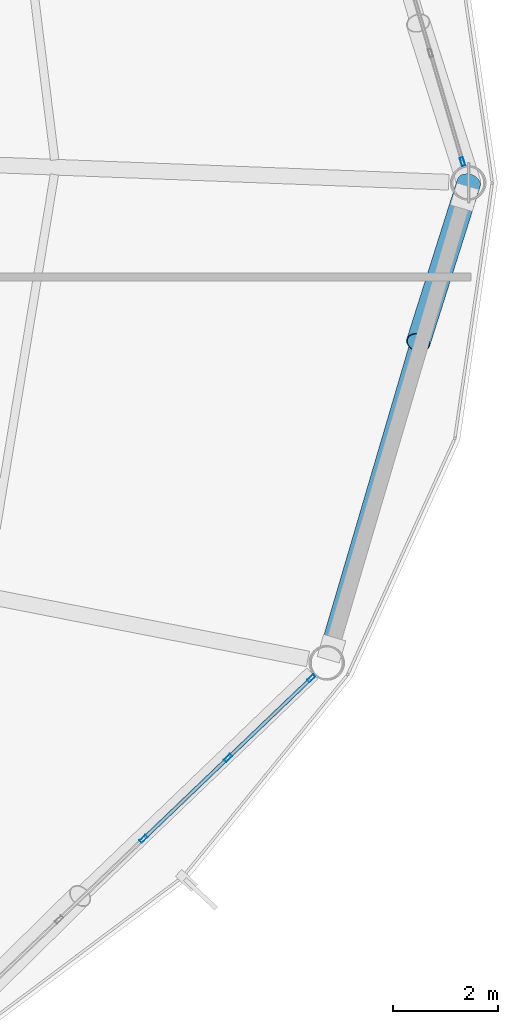
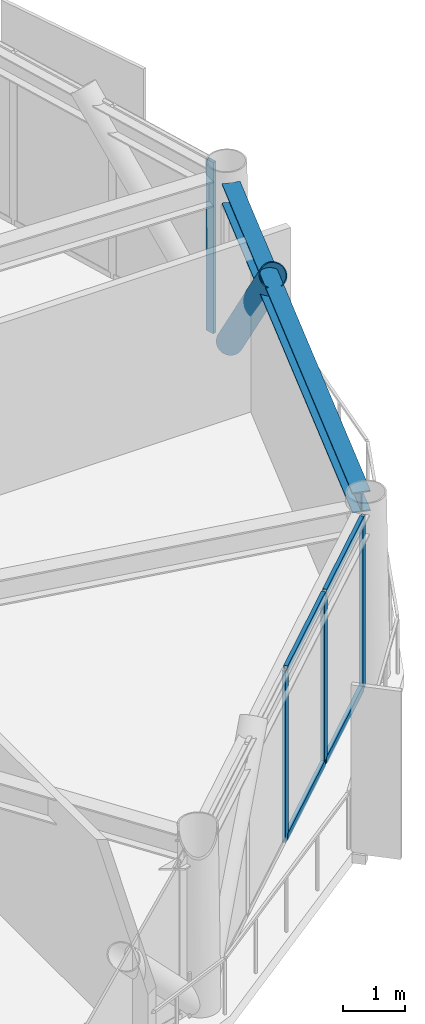
# One storey, part 15 of 28: 9 members, 1 beam, 2 elements without a shape of their own.
"""IFC4 building model written with IfcOpenShell, lengths in metres."""

from ifc_helpers import new_model, si_unit, direction, frame, origin, origin_2d, place, context, subcontext, project, spatial, hollow_rectangle, hollow_circle, i_section, extrude, material, layer, layer_set, material_profile, profile_set, type_object, element, aggregate, save


model = new_model("IFC4")

# Units and contexts
model_context = context("Model", 3, precision=1e-05, world=origin(), true_north=direction((0.0, 1.0)))
body_context = subcontext(model_context, "Body", "Model", "MODEL_VIEW")
ifc_project = project(units=[si_unit("LENGTHUNIT", "METRE"), si_unit("AREAUNIT", "SQUARE_METRE"), si_unit("VOLUMEUNIT", "CUBIC_METRE"), si_unit("PLANEANGLEUNIT", "RADIAN"), si_unit("MASSUNIT", "GRAM", prefix="KILO")], contexts=[model_context])

# Site, building, storey
site_placement = place(None, origin())
site = spatial("IfcSite", under=ifc_project, at=site_placement, CompositionType="ELEMENT")
building_placement = place(site_placement, origin())
building = spatial("IfcBuilding", under=site, at=building_placement, Name="Varnakorn Sky Granary", CompositionType="ELEMENT")
storey_placement = place(building_placement, frame((0.0, 0.0, 204.0)))
storey = spatial("IfcBuildingStorey", under=building, at=storey_placement, Name="L51", CompositionType="ELEMENT", Elevation=204.0)

# Beam
ifc_material_1 = material(Name="Steel S355JR", Category="steel")
ifc_material_profile_1 = material_profile(ifc_material_1, i_section(OverallWidth=0.300048828125, OverallDepth=0.39990234375, WebThickness=0.013427734375, FlangeThickness=0.02392578125, at=origin_2d()), Name="HE 400 B")
ifc_profile_set_1 = profile_set([ifc_material_profile_1], Name="Steel S355JR")
beam_type = type_object("IfcBeamType", Name="BM-SPD-Z4", PredefinedType="SPANDREL", material=ifc_profile_set_1)
beam_placement = place(storey_placement, frame((21.484375, -8.852783203125, 3.159912109375), z_axis=(0.28237096291, 0.959305289939, 0.0), x_axis=(-0.959305289939, 0.28237096291, 0.0)))
element("IfcBeam", 1, at=beam_placement, inside=storey, type_object=beam_type, Name="Perimeter Spandrel Ring Beam RB12 L51", PredefinedType="SPANDREL", context=body_context, shape_type="SweptSolid", body=[
    extrude(i_section(OverallWidth=0.300048828125, OverallDepth=0.39990234375, WebThickness=0.013427734375, FlangeThickness=0.02392578125, at=origin_2d()), origin(), (0.0, 0.0, 1.0), 8.913330078125),
])

# Curtain wall, member
ifc_material_2 = material(Name="Anodised Bronze Aluminium Alloy 6063-T6", Category="aluminium")
ifc_layer = layer(ifc_material_2, 0.169921875, Name="Anodised Bronze Aluminium Alloy 6063-T6")
ifc_layer_set = layer_set([ifc_layer], Name="Anodised Bronze Aluminium Alloy 6063-T6")
curtain_wall_type = type_object("IfcCurtainWallType", Name="CW-LAB-1", PredefinedType="USERDEFINED", material=ifc_layer_set)
curtain_wall_1_placement = place(storey_placement, origin())
curtain_wall_1 = element("IfcCurtainWall", 2, at=curtain_wall_1_placement, inside=storey, type_object=curtain_wall_type, Name="Unitised Curtain Wall CW5 CW-L51-B01", ObjectType="CURTAIN WALL", PredefinedType="USERDEFINED")
ifc_material_profile_2 = material_profile(ifc_material_2, hollow_rectangle(XDim=0.06494140625, YDim=0.159912109375, WallThickness=0.00341796875, at=origin_2d()), Name="ALU MULL 65x160")
ifc_profile_set_2 = profile_set([ifc_material_profile_2], Name="Anodised Bronze Aluminium Alloy 6063-T6")
member_type_1 = type_object("IfcMemberType", Name="CW-LAB-1-MULL", PredefinedType="MULLION", material=ifc_profile_set_2)
member_1_placement = place(storey_placement, frame((24.03857421875, 0.4052734375, 0.0), z_axis=(0.0, 0.0, 1.0), x_axis=(0.959195433293, 0.282743913729, 0.0)))
member_1 = element("IfcMember", 3, at=member_1_placement, type_object=member_type_1, Name="CW5 mullion 5", PredefinedType="MULLION", context=body_context, shape_type="SweptSolid", body=[
    extrude(hollow_rectangle(XDim=0.06494140625, YDim=0.159912109375, WallThickness=0.00341796875, at=origin_2d()), origin(), (0.0, 0.0, 1.0), 3.360107421875),
])
aggregate(curtain_wall_1, [member_1])

# Curtain wall, members
curtain_wall_2_placement = place(storey_placement, origin())
curtain_wall_2 = element("IfcCurtainWall", 4, at=curtain_wall_2_placement, inside=storey, type_object=curtain_wall_type, Name="Unitised Curtain Wall CW5 CW-L51-B11", ObjectType="CURTAIN WALL", PredefinedType="USERDEFINED")
member_2_placement = place(storey_placement, frame((21.14892578125, -9.464111328125, 0.0), z_axis=(0.0, 0.0, 1.0), x_axis=(0.691317195735, -0.722551406393, 0.0)))
member_2 = element("IfcMember", 5, at=member_2_placement, type_object=member_type_1, Name="CW5 mullion 1", PredefinedType="MULLION", context=body_context, shape_type="SweptSolid", body=[
    extrude(hollow_rectangle(XDim=0.06494140625, YDim=0.159912109375, WallThickness=0.00341796875, at=origin_2d()), origin(), (0.0, 0.0, 1.0), 3.360107421875),
])
member_3_placement = place(storey_placement, frame((19.558837890625, -10.9853515625, 0.0), z_axis=(0.0, 0.0, 1.0), x_axis=(0.691317195735, -0.722551406393, 0.0)))
member_3 = element("IfcMember", 6, at=member_3_placement, type_object=member_type_1, Name="CW5 mullion 2", PredefinedType="MULLION", context=body_context, shape_type="SweptSolid", body=[
    extrude(hollow_rectangle(XDim=0.06494140625, YDim=0.159912109375, WallThickness=0.00341796875, at=origin_2d()), origin(), (0.0, 0.0, 1.0), 3.360107421875),
])
member_4_placement = place(storey_placement, frame((17.9453125, -12.529296875, 0.0), z_axis=(0.0, 0.0, 1.0), x_axis=(0.691317195735, -0.722551406393, 0.0)))
member_4 = element("IfcMember", 7, at=member_4_placement, type_object=member_type_1, Name="CW5 mullion 3", PredefinedType="MULLION", context=body_context, shape_type="SweptSolid", body=[
    extrude(hollow_rectangle(XDim=0.06494140625, YDim=0.159912109375, WallThickness=0.00341796875, at=origin_2d()), origin(), (0.0, 0.0, 1.0), 3.360107421875),
])
ifc_material_profile_3 = material_profile(ifc_material_2, hollow_rectangle(XDim=0.070068359375, YDim=0.139892578125, WallThickness=0.00341796875, at=origin_2d()), Name="ALU TRAN 70x140")
ifc_profile_set_3 = profile_set([ifc_material_profile_3], Name="Anodised Bronze Aluminium Alloy 6063-T6")
member_type_2 = type_object("IfcMemberType", Name="CW-LAB-1-TRAN", PredefinedType="USERDEFINED", material=ifc_profile_set_3)
member_5_placement = place(storey_placement, frame((21.12548828125, -9.486572265625, 0.034912109375), z_axis=(-0.72254005068, -0.691329064313, 0.0), x_axis=(0.691329064313, -0.72254005068, 0.0)))
member_5 = element("IfcMember", 8, at=member_5_placement, type_object=member_type_2, Name="CW5 transom 1.1", ObjectType="TRANSOM", PredefinedType="USERDEFINED", context=body_context, shape_type="SweptSolid", body=[
    extrude(hollow_rectangle(XDim=0.070068359375, YDim=0.139892578125, WallThickness=0.00341796875, at=origin_2d()), origin(), (0.0, 0.0, 1.0), 2.135498046875),
])
member_6_placement = place(storey_placement, frame((21.12548828125, -9.486572265625, 3.324951171875), z_axis=(-0.72254005068, -0.691329064313, 0.0), x_axis=(0.691329064313, -0.72254005068, 0.0)))
member_6 = element("IfcMember", 9, at=member_6_placement, type_object=member_type_2, Name="CW5 transom 1.2", ObjectType="TRANSOM", PredefinedType="USERDEFINED", context=body_context, shape_type="SweptSolid", body=[
    extrude(hollow_rectangle(XDim=0.070068359375, YDim=0.139892578125, WallThickness=0.00341796875, at=origin_2d()), origin(), (0.0, 0.0, 1.0), 2.135498046875),
])
member_7_placement = place(storey_placement, frame((19.535400390625, -11.0078125, 0.034912109375), z_axis=(-0.722475540564, -0.691396480528, 0.0), x_axis=(0.691396480528, -0.722475540564, 0.0)))
member_7 = element("IfcMember", 10, at=member_7_placement, type_object=member_type_2, Name="CW5 transom 2.1", ObjectType="TRANSOM", PredefinedType="USERDEFINED", context=body_context, shape_type="SweptSolid", body=[
    extrude(hollow_rectangle(XDim=0.070068359375, YDim=0.139892578125, WallThickness=0.00341796875, at=origin_2d()), origin(), (0.0, 0.0, 1.0), 2.168212890625),
])
member_8_placement = place(storey_placement, frame((19.535400390625, -11.0078125, 3.324951171875), z_axis=(-0.722475540564, -0.691396480528, 0.0), x_axis=(0.691396480528, -0.722475540564, 0.0)))
member_8 = element("IfcMember", 11, at=member_8_placement, type_object=member_type_2, Name="CW5 transom 2.2", ObjectType="TRANSOM", PredefinedType="USERDEFINED", context=body_context, shape_type="SweptSolid", body=[
    extrude(hollow_rectangle(XDim=0.070068359375, YDim=0.139892578125, WallThickness=0.00341796875, at=origin_2d()), origin(), (0.0, 0.0, 1.0), 2.168212890625),
])
aggregate(curtain_wall_2, [member_2, member_3, member_4, member_5, member_6, member_7, member_8])

# Member
ifc_material_3 = material(Name="Steel S460M", Category="steel")
ifc_material_profile_4 = material_profile(ifc_material_3, hollow_circle(Radius=0.228515625, WallThickness=0.01611328125, at=origin_2d()), Name="CHS 457x16")
ifc_profile_set_4 = profile_set([ifc_material_profile_4], Name="Steel S460M")
member_type_3 = type_object("IfcMemberType", Name="MB-DIAG-T3", PredefinedType="BRACE", material=ifc_profile_set_4)
member_9_placement = place(storey_placement, frame((24.157958984375, 0.0, 0.0), z_axis=(-0.203997564759, -0.64441990384, 0.736958602031), x_axis=(0.953371488725, -0.301799278471, 0.0)))
element("IfcMember", 12, at=member_9_placement, inside=storey, type_object=member_type_3, Name="Perimeter CHS Diagrid Brace DG12 L51", PredefinedType="BRACE", context=body_context, shape_type="SweptSolid", body=[
    extrude(hollow_circle(Radius=0.228515625, WallThickness=0.01611328125, at=origin_2d()), origin(), (0.0, 0.0, 1.0), 4.735595703125),
])

save(model, "model.ifc")
